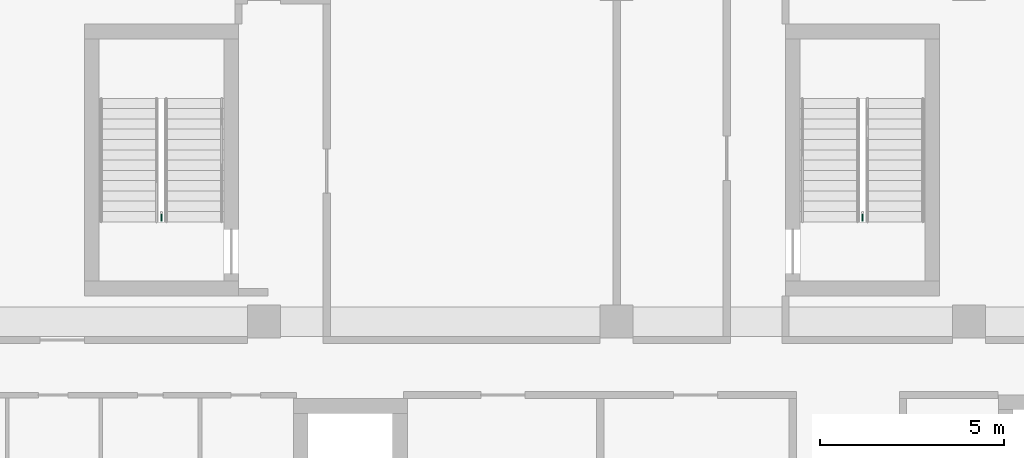
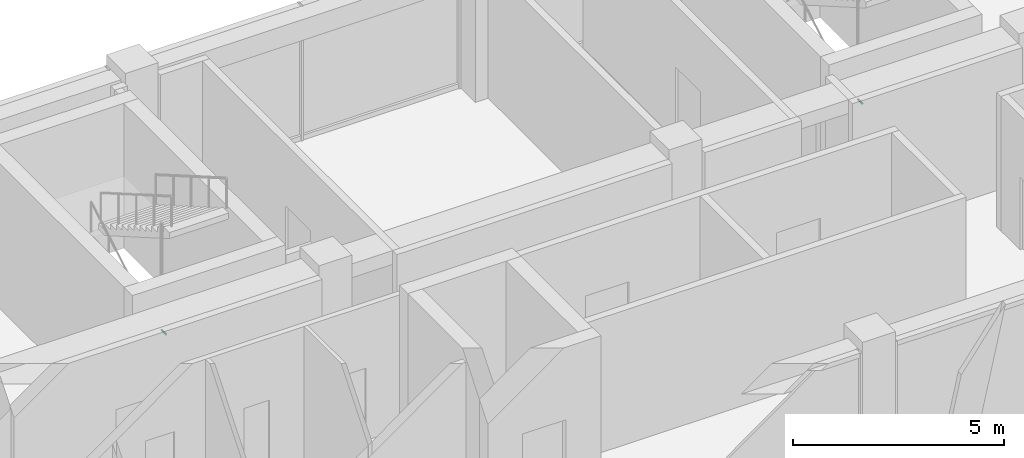
# One storey, part 36 of 36: 2 pipe fittings.
"""IFC4 building model written with IfcOpenShell, lengths in metres."""

from ifc_helpers import new_model, si_unit, direction, frame, origin, origin_2d, place, context, subcontext, project, spatial, circle, extrude, element, save


model = new_model("IFC4")

# Units and contexts
model_context = context("Model", 3, precision=1e-05, world=origin(), true_north=direction((0.0, 1.0)))
body_context = subcontext(model_context, "Body", "Model", "MODEL_VIEW")
ifc_project = project(units=[si_unit("LENGTHUNIT", "METRE"), si_unit("AREAUNIT", "SQUARE_METRE"), si_unit("VOLUMEUNIT", "CUBIC_METRE"), si_unit("PLANEANGLEUNIT", "RADIAN"), si_unit("MASSUNIT", "GRAM", prefix="KILO")], contexts=[model_context])

# Site, building, storey
site_placement = place(None, origin())
site = spatial("IfcSite", under=ifc_project, at=site_placement, CompositionType="ELEMENT")
building_placement = place(site_placement, origin())
building = spatial("IfcBuilding", under=site, at=building_placement, Name="Nzadi Deep Aquarium and Research Tower", CompositionType="ELEMENT")
storey_placement = place(building_placement, frame((0.0, 0.0, 36.10009765625)))
storey = spatial("IfcBuildingStorey", under=building, at=storey_placement, Name="L06", CompositionType="ELEMENT", Elevation=36.10009765625)

# Pipe fittings
for number, where, z_axis, x_axis, name in (
    (1, (6.800048828125, 39.77001953125, 1.099853515625), (0.0, -1.0, 0.0), (1.0, 0.0, 0.0), "Dry riser outlet ST-Z1-NW L06"),
    (2, (25.89990234375, 39.77001953125, 1.099853515625), (0.0, -1.0, 0.0), (1.0, 0.0, 0.0), "Dry riser outlet ST-Z1-NE L06"),
):
    element("IfcPipeFitting", number, at=place(storey_placement, frame(where, z_axis=z_axis, x_axis=x_axis)), inside=storey, Name=name, PredefinedType="EXIT", context=body_context, shape_type="SweptSolid", body=[
        extrude(circle(Radius=0.0224609375, at=origin_2d()), origin(), (0.0, 0.0, 1.0), 0.22998046875),
    ])

save(model, "model.ifc")
